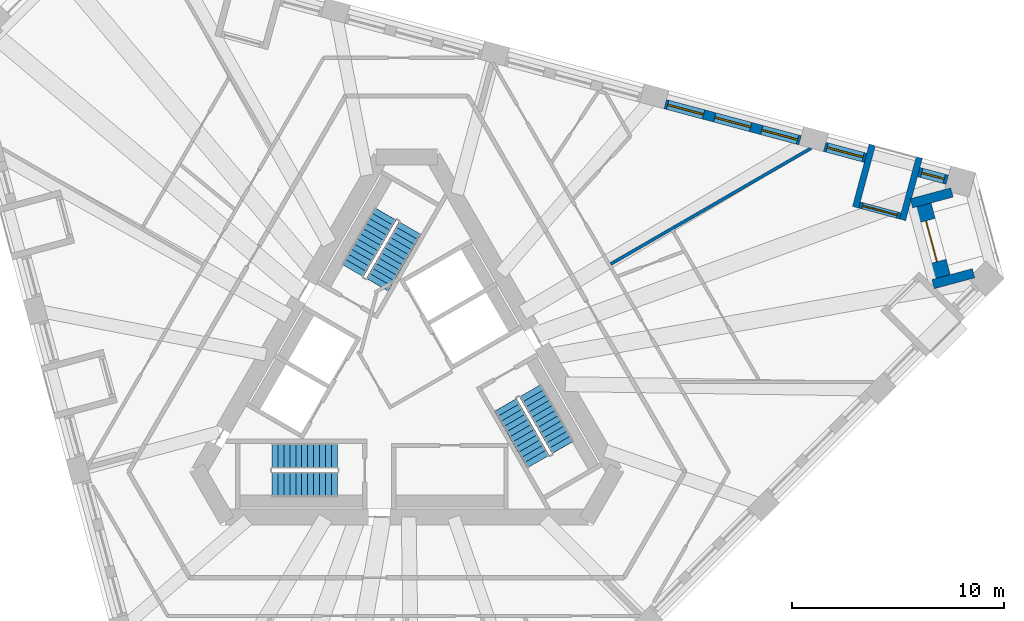
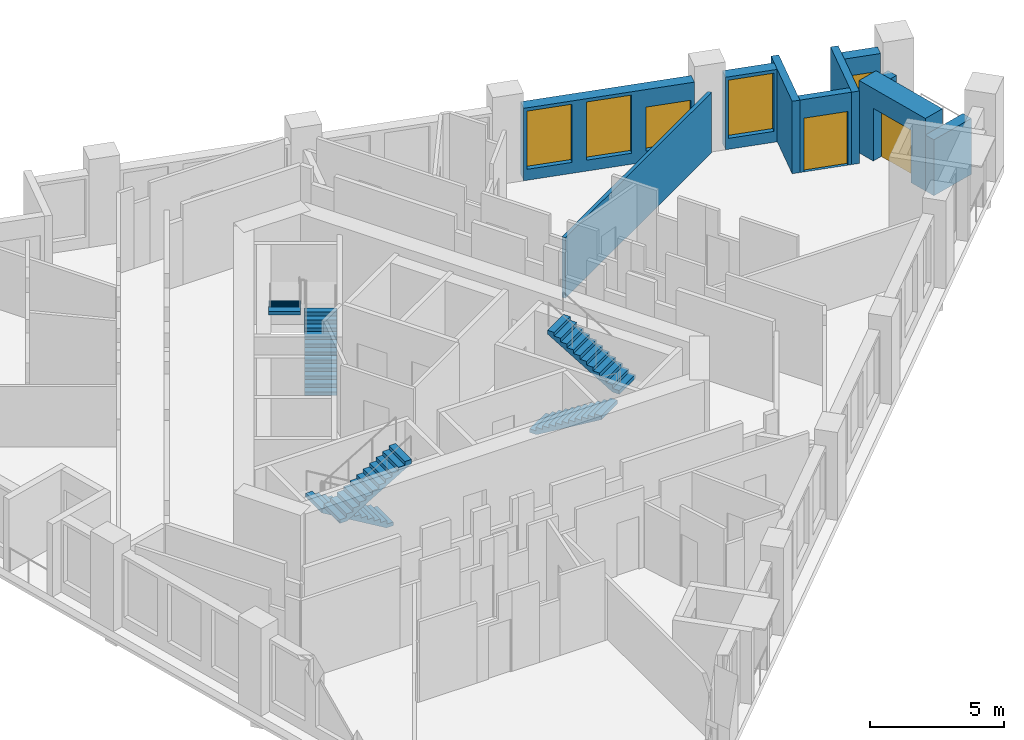
# One storey, part 9 of 13: 10 walls, 6 stair flights, 5 windows, 2 doors, 7 openings, 3 elements without a shape of their own.
"""IFC4 building model written with IfcOpenShell, lengths in metres."""

from ifc_helpers import new_model, si_unit, direction, frame, frame_2d, origin, place, context, subcontext, project, spatial, polyline, rectangle, outline, extrude, material, layer, layer_set, type_object, element, fill, aggregate, save


model = new_model("IFC4")

# Units and contexts
model_context = context("Model", 3, precision=1e-05, world=origin(), true_north=direction((0.0, 1.0)))
body_context = subcontext(model_context, "Body", "Model", "MODEL_VIEW")
ifc_project = project(units=[si_unit("LENGTHUNIT", "METRE"), si_unit("AREAUNIT", "SQUARE_METRE"), si_unit("VOLUMEUNIT", "CUBIC_METRE"), si_unit("PLANEANGLEUNIT", "RADIAN"), si_unit("MASSUNIT", "GRAM", prefix="KILO")], contexts=[model_context])

# Site, building, storey
site_placement = place(None, origin())
site = spatial("IfcSite", under=ifc_project, at=site_placement, CompositionType="ELEMENT")
building_placement = place(site_placement, origin())
building = spatial("IfcBuilding", under=site, at=building_placement, Name="Tramontana Tower", CompositionType="ELEMENT")
storey_placement = place(building_placement, frame((0.0, 0.0, 204.0)))
storey = spatial("IfcBuildingStorey", under=building, at=storey_placement, Name="L47", CompositionType="ELEMENT", Elevation=204.0)

# Wall, opening, window
ifc_material_1 = material(Name="Precast concrete 60 MPa", Category="concrete")
ifc_layer_1 = layer(ifc_material_1, 0.449951171875)
ifc_layer_set_1 = layer_set([ifc_layer_1], Name="Precast concrete 60 MPa, 450 mm")
wall_type_1 = type_object("IfcWallType", Name="EW1 Stone-faced precast wall 450", PredefinedType="SOLIDWALL", material=ifc_layer_set_1)
wall_1_placement = place(storey_placement, frame((25.522705078125, 9.54443359375, 0.0), z_axis=(0.0, 0.0, 1.0), x_axis=(-0.965938699585, 0.258770996527, 0.0)))
wall_1 = element("IfcWall", 1, at=wall_1_placement, inside=storey, type_object=wall_type_1, Name="External wall L47 face 2 bay 1", PredefinedType="SOLIDWALL", context=body_context, shape_type="SweptSolid", body=[
    extrude(rectangle(XDim=1.398193359375, YDim=0.449951171875, at=frame_2d((0.69921875, 0.0))), origin(), (0.0, 0.0, 1.0), 3.300048828125),
])
opening_1_placement = place(wall_1_placement, frame((0.14892578125, 0.0, 0.5)))
opening_1 = element("IfcOpeningElement", 2, at=opening_1_placement, cuts=wall_1, Name="Opening N2L", PredefinedType="OPENING", context=body_context, shape_type="SweptSolid", body=[
    extrude(rectangle(XDim=1.10009765625, YDim=2.0, at=frame_2d((0.550048828125, 1.0))), frame((0.0, 0.23486328125, 0.0), z_axis=(0.0, -1.0, 0.0), x_axis=(1.0, 0.0, 0.0)), (0.0, 0.0, 1.0), 0.469970703125),
])
ifc_material_2 = material(Name="Aluminum frame, double glazing unit", Category="aluminium")
window_type_1 = type_object("IfcWindowType", Name="N2L Window 1.1 x 2", PartitioningType="SINGLE_PANEL", PredefinedType="WINDOW", material=ifc_material_2)
window_1_placement = place(opening_1_placement, origin())
window_1 = element("IfcWindow", 3, at=window_1_placement, inside=storey, type_object=window_type_1, Name="Window N2L L47 face 2 module 1", OverallHeight=2.0, OverallWidth=1.10009765625, PartitioningType="SINGLE_PANEL", PredefinedType="WINDOW", context=body_context, shape_type="SweptSolid", body=[
    extrude(rectangle(XDim=1.10009765625, YDim=2.0, at=frame_2d((0.550048828125, 1.0))), frame((0.0, 0.030029296875, 0.0), z_axis=(0.0, -1.0, 0.0), x_axis=(1.0, 0.0, 0.0)), (0.0, 0.0, 1.0), 0.06005859375),
])
fill(opening_1, window_1)

wall_2_placement = place(storey_placement, frame((21.66259765625, 10.578857421875, 0.0), z_axis=(0.0, 0.0, 1.0), x_axis=(-0.96593005298, 0.258803270362, 0.0)))
wall_2 = element("IfcWall", 4, at=wall_2_placement, inside=storey, type_object=wall_type_1, Name="External wall L47 face 2 bay 1", PredefinedType="SOLIDWALL", context=body_context, shape_type="SweptSolid", body=[
    extrude(rectangle(XDim=1.998046875, YDim=0.449951171875, at=frame_2d((0.9990234375, 0.0))), origin(), (0.0, 0.0, 1.0), 3.300048828125),
])
opening_2_placement = place(wall_2_placement, frame((0.1240234375, 0.0, 0.5)))
opening_2 = element("IfcOpeningElement", 5, at=opening_2_placement, cuts=wall_2, Name="Opening M2", PredefinedType="OPENING", context=body_context, shape_type="SweptSolid", body=[
    extrude(rectangle(XDim=1.75, YDim=2.64990234375, at=frame_2d((0.875, 1.324951171875))), frame((0.0, 0.23486328125, 0.0), z_axis=(0.0, -1.0, 0.0), x_axis=(1.0, 0.0, 0.0)), (0.0, 0.0, 1.0), 0.469970703125),
])
ifc_material_3 = material(Name="Aluminum frame, double glazing unit", Category="aluminium")
window_type_2 = type_object("IfcWindowType", Name="M2 Window 1.75 x 2.65", PartitioningType="SINGLE_PANEL", PredefinedType="WINDOW", material=ifc_material_3)
window_2_placement = place(opening_2_placement, origin())
window_2 = element("IfcWindow", 6, at=window_2_placement, inside=storey, type_object=window_type_2, Name="Window M2 L47 face 2 module 3", OverallHeight=2.64990234375, OverallWidth=1.75, PartitioningType="SINGLE_PANEL", PredefinedType="WINDOW", context=body_context, shape_type="SweptSolid", body=[
    extrude(rectangle(XDim=1.75, YDim=2.64990234375, at=frame_2d((0.875, 1.324951171875))), frame((0.0, 0.030029296875, 0.0), z_axis=(0.0, -1.0, 0.0), x_axis=(1.0, 0.0, 0.0)), (0.0, 0.0, 1.0), 0.06005859375),
])
fill(opening_2, window_2)

# Wall, openings, windows
wall_3_placement = place(storey_placement, frame((18.573486328125, 11.406494140625, 0.0), z_axis=(0.0, 0.0, 1.0), x_axis=(-0.965921443251, 0.258835402268, 0.0)))
wall_3 = element("IfcWall", 7, at=wall_3_placement, inside=storey, type_object=wall_type_1, Name="External wall L47 face 2 bay 2", PredefinedType="SOLIDWALL", context=body_context, shape_type="SweptSolid", body=[
    extrude(rectangle(XDim=6.593994140625, YDim=0.449951171875, at=frame_2d((3.296875, 0.0))), origin(), (0.0, 0.0, 1.0), 3.300048828125),
])
opening_3_placement = place(wall_3_placement, frame((0.1240234375, 0.0, 0.5)))
opening_3 = element("IfcOpeningElement", 8, at=opening_3_placement, cuts=wall_3, Name="Opening M2L", PredefinedType="OPENING", context=body_context, shape_type="SweptSolid", body=[
    extrude(rectangle(XDim=1.75, YDim=2.0, at=frame_2d((0.875, 1.0))), frame((0.0, 0.23486328125, 0.0), z_axis=(0.0, -1.0, 0.0), x_axis=(1.0, 0.0, 0.0)), (0.0, 0.0, 1.0), 0.469970703125),
])
opening_4_placement = place(wall_3_placement, frame((2.422119140625, 0.0, 0.5)))
opening_4 = element("IfcOpeningElement", 9, at=opening_4_placement, cuts=wall_3, Name="Opening M2", PredefinedType="OPENING", context=body_context, shape_type="SweptSolid", body=[
    extrude(rectangle(XDim=1.75, YDim=2.64990234375, at=frame_2d((0.875, 1.324951171875))), frame((0.0, 0.23486328125, 0.0), z_axis=(0.0, -1.0, 0.0), x_axis=(1.0, 0.0, 0.0)), (0.0, 0.0, 1.0), 0.469970703125),
])
opening_5_placement = place(wall_3_placement, frame((4.72021484375, 0.0, 0.5)))
opening_5 = element("IfcOpeningElement", 10, at=opening_5_placement, cuts=wall_3, Name="Opening M2", PredefinedType="OPENING", context=body_context, shape_type="SweptSolid", body=[
    extrude(rectangle(XDim=1.75, YDim=2.64990234375, at=frame_2d((0.875, 1.324951171875))), frame((0.0, 0.23486328125, 0.0), z_axis=(0.0, -1.0, 0.0), x_axis=(1.0, 0.0, 0.0)), (0.0, 0.0, 1.0), 0.469970703125),
])
window_3_placement = place(opening_4_placement, origin())
window_3 = element("IfcWindow", 11, at=window_3_placement, inside=storey, type_object=window_type_2, Name="Window M2 L47 face 2 module 5", OverallHeight=2.64990234375, OverallWidth=1.75, PartitioningType="SINGLE_PANEL", PredefinedType="WINDOW", context=body_context, shape_type="SweptSolid", body=[
    extrude(rectangle(XDim=1.75, YDim=2.64990234375, at=frame_2d((0.875, 1.324951171875))), frame((0.0, 0.030029296875, 0.0), z_axis=(0.0, -1.0, 0.0), x_axis=(1.0, 0.0, 0.0)), (0.0, 0.0, 1.0), 0.06005859375),
])
fill(opening_4, window_3)
window_4_placement = place(opening_5_placement, origin())
window_4 = element("IfcWindow", 12, at=window_4_placement, inside=storey, type_object=window_type_2, Name="Window M2 L47 face 2 module 6", OverallHeight=2.64990234375, OverallWidth=1.75, PartitioningType="SINGLE_PANEL", PredefinedType="WINDOW", context=body_context, shape_type="SweptSolid", body=[
    extrude(rectangle(XDim=1.75, YDim=2.64990234375, at=frame_2d((0.875, 1.324951171875))), frame((0.0, 0.030029296875, 0.0), z_axis=(0.0, -1.0, 0.0), x_axis=(1.0, 0.0, 0.0)), (0.0, 0.0, 1.0), 0.06005859375),
])
fill(opening_5, window_4)
ifc_material_4 = material(Name="Aluminum frame, double glazing unit", Category="aluminium")
window_type_3 = type_object("IfcWindowType", Name="M2L Window 1.75 x 2", PartitioningType="SINGLE_PANEL", PredefinedType="WINDOW", material=ifc_material_4)
window_5_placement = place(opening_3_placement, origin())
window_5 = element("IfcWindow", 13, at=window_5_placement, inside=storey, type_object=window_type_3, Name="Window M2L L47 face 2 module 4", OverallHeight=2.0, OverallWidth=1.75, PartitioningType="SINGLE_PANEL", PredefinedType="WINDOW", context=body_context, shape_type="SweptSolid", body=[
    extrude(rectangle(XDim=1.75, YDim=2.0, at=frame_2d((0.875, 1.0))), frame((0.0, 0.030029296875, 0.0), z_axis=(0.0, -1.0, 0.0), x_axis=(1.0, 0.0, 0.0)), (0.0, 0.0, 1.0), 0.06005859375),
])
fill(opening_3, window_5)

# Walls
wall_4_placement = place(storey_placement, frame((25.741943359375, 8.942138671875, 0.0), z_axis=(0.0, 0.0, 1.0), x_axis=(-0.965935388955, -0.258783354109, 0.0)))
element("IfcWall", 14, at=wall_4_placement, inside=storey, type_object=wall_type_1, Name="Corner loggia side wall L47 K52l", PredefinedType="SOLIDWALL", context=body_context, shape_type="SweptSolid", body=[
    extrude(rectangle(XDim=1.979248046875, YDim=0.449951171875, at=frame_2d((0.98974609375, 0.0))), origin(), (0.0, 0.0, 1.0), 2.550048828125),
])
wall_5_placement = place(storey_placement, frame((26.76416015625, 5.126708984375, 0.0), z_axis=(0.0, 0.0, 1.0), x_axis=(-0.965927127032, -0.258814190615, 0.0)))
element("IfcWall", 15, at=wall_5_placement, inside=storey, type_object=wall_type_1, Name="Corner loggia side wall L47 K52r", PredefinedType="SOLIDWALL", context=body_context, shape_type="SweptSolid", body=[
    extrude(rectangle(XDim=1.97900390625, YDim=0.449951171875, at=frame_2d((0.989501953125, 0.0))), origin(), (0.0, 0.0, 1.0), 2.550048828125),
])

# Wall, opening, door
ifc_material_5 = material(Name="Precast concrete 60 MPa", Category="concrete")
ifc_layer_2 = layer(ifc_material_5, 0.89990234375)
ifc_layer_set_2 = layer_set([ifc_layer_2], Name="EW2 Stone-faced corner loggia wall 900")
wall_type_2 = type_object("IfcWallType", Name="EW2 Stone-faced corner loggia wall 900", PredefinedType="SOLIDWALL", material=ifc_layer_set_2)
wall_6_placement = place(storey_placement, frame((24.322998046875, 8.3291015625, 0.0), z_axis=(0.0, 0.0, 1.0), x_axis=(0.258847652622, -0.965918160473, 0.0)))
wall_6 = element("IfcWall", 16, at=wall_6_placement, inside=storey, type_object=wall_type_2, Name="Corner loggia wall L47 K52", PredefinedType="SOLIDWALL", context=body_context, shape_type="SweptSolid", body=[
    extrude(rectangle(XDim=3.500244140625, YDim=0.89990234375, at=frame_2d((1.75, 0.0))), origin(), (0.0, 0.0, 1.0), 3.300048828125),
])
opening_6_placement = place(wall_6_placement, frame((0.75, 0.0, 0.0)))
opening_6 = element("IfcOpeningElement", 17, at=opening_6_placement, cuts=wall_6, Name="Opening BD-52C", PredefinedType="OPENING", context=body_context, shape_type="SweptSolid", body=[
    extrude(rectangle(XDim=2.0, YDim=2.39990234375, at=frame_2d((1.0, 1.199951171875))), frame((0.0, 0.4599609375, 0.0), z_axis=(0.0, -1.0, 0.0), x_axis=(1.0, 0.0, 0.0)), (0.0, 0.0, 1.0), 0.919921875),
])
ifc_material_6 = material(Name="Aluminum frame, double glazing unit", Category="aluminium")
door_type_1 = type_object("IfcDoorType", Name="BC1 Sliding door 2 x 2.4", OperationType="SLIDING_TO_LEFT", PredefinedType="DOOR", material=ifc_material_6)
door_1_placement = place(opening_6_placement, origin())
door_1 = element("IfcDoor", 18, at=door_1_placement, inside=storey, type_object=door_type_1, Name="Corner loggia door L47 K52", OperationType="SLIDING_TO_LEFT", OverallHeight=2.39990234375, OverallWidth=2.0, PredefinedType="DOOR", context=body_context, shape_type="SweptSolid", body=[
    extrude(rectangle(XDim=2.0, YDim=2.39990234375, at=frame_2d((1.0, 1.199951171875))), frame((0.0, 0.02490234375, 0.0), z_axis=(0.0, -1.0, 0.0), x_axis=(1.0, 0.0, 0.0)), (0.0, 0.0, 1.0), 0.050048828125),
])
fill(opening_6, door_1)

ifc_material_7 = material(Name="Precast concrete 60 MPa", Category="concrete")
ifc_layer_3 = layer(ifc_material_7, 0.300048828125)
ifc_layer_set_3 = layer_set([ifc_layer_3], Name="LW1 Stone-faced loggia wall 300")
wall_type_3 = type_object("IfcWallType", Name="LW1 Stone-faced loggia wall 300", PredefinedType="SOLIDWALL", material=ifc_layer_set_3)
wall_7_placement = place(storey_placement, frame((23.306640625, 7.834716796875, 0.0), z_axis=(0.0, 0.0, 1.0), x_axis=(-0.965938235865, 0.258772727493, 0.0)))
wall_7 = element("IfcWall", 19, at=wall_7_placement, inside=storey, type_object=wall_type_3, Name="Loggia wall L47 G5S2.1", PredefinedType="SOLIDWALL", context=body_context, shape_type="SweptSolid", body=[
    extrude(rectangle(XDim=1.998291015625, YDim=0.300048828125, at=frame_2d((0.9990234375, 0.0))), origin(), (0.0, 0.0, 1.0), 3.300048828125),
])
opening_7_placement = place(wall_7_placement, frame((0.14892578125, 0.0, 0.0)))
opening_7 = element("IfcOpeningElement", 20, at=opening_7_placement, cuts=wall_7, Name="Opening BD-5S2-01", PredefinedType="OPENING", context=body_context, shape_type="SweptSolid", body=[
    extrude(rectangle(XDim=1.699951171875, YDim=2.449951171875, at=frame_2d((0.85009765625, 1.22509765625))), frame((0.0, 0.159912109375, 0.0), z_axis=(0.0, -1.0, 0.0), x_axis=(1.0, 0.0, 0.0)), (0.0, 0.0, 1.0), 0.320068359375),
])
ifc_material_8 = material(Name="Aluminum frame, double glazing unit", Category="aluminium")
door_type_2 = type_object("IfcDoorType", Name="BD2 Sliding door 1.7 x 2.45", OperationType="SLIDING_TO_LEFT", PredefinedType="DOOR", material=ifc_material_8)
door_2_placement = place(opening_7_placement, origin())
door_2 = element("IfcDoor", 21, at=door_2_placement, inside=storey, type_object=door_type_2, Name="Loggia door L47 G5S2.1", OperationType="SLIDING_TO_LEFT", OverallHeight=2.449951171875, OverallWidth=1.699951171875, PredefinedType="DOOR", context=body_context, shape_type="SweptSolid", body=[
    extrude(rectangle(XDim=1.699951171875, YDim=2.449951171875, at=frame_2d((0.85009765625, 1.22509765625))), frame((0.0, 0.02490234375, 0.0), z_axis=(0.0, -1.0, 0.0), x_axis=(1.0, 0.0, 0.0)), (0.0, 0.0, 1.0), 0.050048828125),
])
fill(opening_7, door_2)

# Walls
for number, where, z_axis, x_axis, name in (
    (22, (24.201904296875, 10.59716796875, 0.0), (0.0, 0.0, 1.0), (-0.258793435045, -0.965932688119, 0.0), "Loggia return L47 G5S2.1a"),
    (23, (21.982177734375, 11.19189453125, 0.0), (0.0, 0.0, 1.0), (-0.258793435045, -0.965932688119, 0.0), "Loggia return L47 G5S2.1b"),
):
    element("IfcWall", number, at=place(storey_placement, frame(where, z_axis=z_axis, x_axis=x_axis)), inside=storey, type_object=wall_type_3, Name=name, PredefinedType="SOLIDWALL", context=body_context, shape_type="SweptSolid", body=[
        extrude(rectangle(XDim=3.050048828125, YDim=0.300048828125, at=frame_2d((1.52490234375, 0.0))), origin(), (0.0, 0.0, 1.0), 3.300048828125),
    ])
ifc_material_9 = material(Name="Gypsum board partition")
ifc_layer_4 = layer(ifc_material_9, 0.14990234375)
ifc_layer_set_4 = layer_set([ifc_layer_4], Name="PARTITION 150")
wall_type_4 = type_object("IfcWallType", Name="PARTITION 150", PredefinedType="PARTITIONING", material=ifc_layer_set_4)
wall_8_placement = place(storey_placement, frame((9.632568359375, 5.566162109375, 0.0), z_axis=(0.0, 0.0, 1.0), x_axis=(0.865840987412, 0.500319282576, 0.0)))
element("IfcWall", 24, at=wall_8_placement, inside=storey, type_object=wall_type_4, Name="Wall v50-pw21-0", PredefinedType="PARTITIONING", context=body_context, shape_type="SweptSolid", body=[
    extrude(rectangle(XDim=10.928466796875, YDim=0.14990234375, at=frame_2d((5.46435546875, 0.0))), origin(), (0.0, 0.0, 1.0), 2.75),
])

# Stair, stair flights
ifc_material_10 = material(Name="Concrete 40 MPa", Category="concrete")
stair_type = type_object("IfcStairType", Name="EXIT STAIR 24 RISERS", PredefinedType="HALF_TURN_STAIR", material=ifc_material_10)
stair_1_placement = place(storey_placement, origin())
stair_1 = element("IfcStair", 25, at=stair_1_placement, inside=storey, type_object=stair_type, Name="L47 Exit stair ST1", PredefinedType="HALF_TURN_STAIR")
ifc_material_11 = material(Name="Concrete 40 MPa", Category="concrete")
ifc_layer_5 = layer(ifc_material_11, 0.14990234375)
ifc_layer_set_5 = layer_set([ifc_layer_5], Name="EXIT STAIR FLIGHT")
stair_flight_type = type_object("IfcStairFlightType", Name="EXIT STAIR FLIGHT", PredefinedType="STRAIGHT", material=ifc_layer_set_5)
stair_flight_1_placement = place(storey_placement, frame((-1.39111328125, 4.590576171875, 0.0), z_axis=(0.0, 0.0, 1.0), x_axis=(0.5, 0.866025403784, 0.0)))
stair_flight_1 = element("IfcStairFlight", 26, at=stair_flight_1_placement, type_object=stair_flight_type, Name="ST1 flight 1", NumberOfRisers=12, NumberOfTreads=11, PredefinedType="STRAIGHT", RiserHeight=0.166666667, TreadLength=0.28, context=body_context, shape_type="SweptSolid", body=[
    extrude(outline(polyline([(-0.006103515625, 0.0), (-0.006103515625, 0.0400390625), (0.0, 0.0400390625), (0.0, 0.166748046875), (0.280029296875, 0.166748046875), (0.280029296875, 0.333251953125), (0.56005859375, 0.333251953125), (0.56005859375, 0.5), (0.840087890625, 0.5), (0.840087890625, 0.666748046875), (1.1201171875, 0.666748046875), (1.1201171875, 0.833251953125), (1.39990234375, 0.833251953125), (1.39990234375, 1.0), (1.679931640625, 1.0), (1.679931640625, 1.166748046875), (1.9599609375, 1.166748046875), (1.9599609375, 1.333251953125), (2.239990234375, 1.333251953125), (2.239990234375, 1.5), (2.52001953125, 1.5), (2.52001953125, 1.666748046875), (2.800048828125, 1.666748046875), (2.800048828125, 1.833251953125), (3.080078125, 1.833251953125), (3.0859375, 1.833251953125), (3.0859375, 1.658935546875), (0.299072265625, 0.0), (-0.006103515625, 0.0)])), frame((0.0, 0.60009765625, 0.0), z_axis=(0.0, -1.0, 0.0), x_axis=(1.0, 0.0, 0.0)), (0.0, 0.0, 1.0), 1.199951171875),
])
stair_flight_2_placement = place(storey_placement, frame((-1.020263671875, 7.932861328125, 2.0), z_axis=(0.0, 0.0, 1.0), x_axis=(-0.5, -0.866025403784, 0.0)))
stair_flight_2 = element("IfcStairFlight", 27, at=stair_flight_2_placement, type_object=stair_flight_type, Name="ST1 flight 2", NumberOfRisers=12, NumberOfTreads=11, PredefinedType="STRAIGHT", RiserHeight=0.166666667, TreadLength=0.28, context=body_context, shape_type="SweptSolid", body=[
    extrude(outline(polyline([(-0.006103515625, 0.0), (-0.006103515625, 0.0400390625), (0.0, 0.0400390625), (0.0, 0.166748046875), (0.280029296875, 0.166748046875), (0.280029296875, 0.333251953125), (0.56005859375, 0.333251953125), (0.56005859375, 0.5), (0.840087890625, 0.5), (0.840087890625, 0.666748046875), (1.1201171875, 0.666748046875), (1.1201171875, 0.833251953125), (1.39990234375, 0.833251953125), (1.39990234375, 1.0), (1.679931640625, 1.0), (1.679931640625, 1.166748046875), (1.9599609375, 1.166748046875), (1.9599609375, 1.333251953125), (2.239990234375, 1.333251953125), (2.239990234375, 1.5), (2.52001953125, 1.5), (2.52001953125, 1.666748046875), (2.800048828125, 1.666748046875), (2.800048828125, 1.833251953125), (3.080078125, 1.833251953125), (3.0859375, 1.833251953125), (3.0859375, 1.658935546875), (0.299072265625, 0.0), (-0.006103515625, 0.0)])), frame((0.0, 0.60009765625, 0.0), z_axis=(0.0, -1.0, 0.0), x_axis=(1.0, 0.0, 0.0)), (0.0, 0.0, 1.0), 1.199951171875),
])
aggregate(stair_1, [stair_flight_1, stair_flight_2])

stair_2_placement = place(storey_placement, origin())
stair_2 = element("IfcStair", 28, at=stair_2_placement, inside=storey, type_object=stair_type, Name="L47 Exit stair ST2", PredefinedType="HALF_TURN_STAIR")
stair_flight_3_placement = place(storey_placement, frame((-3.280029296875, -3.5, 0.0), z_axis=(0.0, 0.0, 1.0), x_axis=(-1.0, 0.0, 0.0)))
stair_flight_3 = element("IfcStairFlight", 29, at=stair_flight_3_placement, type_object=stair_flight_type, Name="ST2 flight 1", NumberOfRisers=12, NumberOfTreads=11, PredefinedType="STRAIGHT", RiserHeight=0.166666667, TreadLength=0.28, context=body_context, shape_type="SweptSolid", body=[
    extrude(outline(polyline([(-0.006103515625, 0.0), (-0.006103515625, 0.0400390625), (0.0, 0.0400390625), (0.0, 0.166748046875), (0.280029296875, 0.166748046875), (0.280029296875, 0.333251953125), (0.56005859375, 0.333251953125), (0.56005859375, 0.5), (0.840087890625, 0.5), (0.840087890625, 0.666748046875), (1.1201171875, 0.666748046875), (1.1201171875, 0.833251953125), (1.39990234375, 0.833251953125), (1.39990234375, 1.0), (1.679931640625, 1.0), (1.679931640625, 1.166748046875), (1.9599609375, 1.166748046875), (1.9599609375, 1.333251953125), (2.239990234375, 1.333251953125), (2.239990234375, 1.5), (2.52001953125, 1.5), (2.52001953125, 1.666748046875), (2.800048828125, 1.666748046875), (2.800048828125, 1.833251953125), (3.080078125, 1.833251953125), (3.0859375, 1.833251953125), (3.0859375, 1.658935546875), (0.299072265625, 0.0), (-0.006103515625, 0.0)])), frame((0.0, 0.60009765625, 0.0), z_axis=(0.0, -1.0, 0.0), x_axis=(1.0, 0.0, 0.0)), (0.0, 0.0, 1.0), 1.199951171875),
])
stair_flight_4_placement = place(storey_placement, frame((-6.360107421875, -4.85009765625, 2.0), z_axis=(0.0, 0.0, 1.0), x_axis=(1.0, 0.0, 0.0)))
stair_flight_4 = element("IfcStairFlight", 30, at=stair_flight_4_placement, type_object=stair_flight_type, Name="ST2 flight 2", NumberOfRisers=12, NumberOfTreads=11, PredefinedType="STRAIGHT", RiserHeight=0.166666667, TreadLength=0.28, context=body_context, shape_type="SweptSolid", body=[
    extrude(outline(polyline([(-0.006103515625, 0.0), (-0.006103515625, 0.0400390625), (0.0, 0.0400390625), (0.0, 0.166748046875), (0.280029296875, 0.166748046875), (0.280029296875, 0.333251953125), (0.56005859375, 0.333251953125), (0.56005859375, 0.5), (0.840087890625, 0.5), (0.840087890625, 0.666748046875), (1.1201171875, 0.666748046875), (1.1201171875, 0.833251953125), (1.39990234375, 0.833251953125), (1.39990234375, 1.0), (1.679931640625, 1.0), (1.679931640625, 1.166748046875), (1.9599609375, 1.166748046875), (1.9599609375, 1.333251953125), (2.239990234375, 1.333251953125), (2.239990234375, 1.5), (2.52001953125, 1.5), (2.52001953125, 1.666748046875), (2.800048828125, 1.666748046875), (2.800048828125, 1.833251953125), (3.080078125, 1.833251953125), (3.0859375, 1.833251953125), (3.0859375, 1.658935546875), (0.299072265625, 0.0), (-0.006103515625, 0.0)])), frame((0.0, 0.60009765625, 0.0), z_axis=(0.0, -1.0, 0.0), x_axis=(1.0, 0.0, 0.0)), (0.0, 0.0, 1.0), 1.199951171875),
])
aggregate(stair_2, [stair_flight_3, stair_flight_4])

stair_3_placement = place(storey_placement, origin())
stair_3 = element("IfcStair", 31, at=stair_3_placement, inside=storey, type_object=stair_type, Name="L47 Exit stair ST3", PredefinedType="HALF_TURN_STAIR")
stair_flight_5_placement = place(storey_placement, frame((4.671142578125, -1.090576171875, 0.0), z_axis=(0.0, 0.0, 1.0), x_axis=(0.5, -0.866025403784, 0.0)))
stair_flight_5 = element("IfcStairFlight", 32, at=stair_flight_5_placement, type_object=stair_flight_type, Name="ST3 flight 1", NumberOfRisers=12, NumberOfTreads=11, PredefinedType="STRAIGHT", RiserHeight=0.166666667, TreadLength=0.28, context=body_context, shape_type="SweptSolid", body=[
    extrude(outline(polyline([(-0.006103515625, 0.0), (-0.006103515625, 0.0400390625), (0.0, 0.0400390625), (0.0, 0.166748046875), (0.280029296875, 0.166748046875), (0.280029296875, 0.333251953125), (0.56005859375, 0.333251953125), (0.56005859375, 0.5), (0.840087890625, 0.5), (0.840087890625, 0.666748046875), (1.1201171875, 0.666748046875), (1.1201171875, 0.833251953125), (1.39990234375, 0.833251953125), (1.39990234375, 1.0), (1.679931640625, 1.0), (1.679931640625, 1.166748046875), (1.9599609375, 1.166748046875), (1.9599609375, 1.333251953125), (2.239990234375, 1.333251953125), (2.239990234375, 1.5), (2.52001953125, 1.5), (2.52001953125, 1.666748046875), (2.800048828125, 1.666748046875), (2.800048828125, 1.833251953125), (3.080078125, 1.833251953125), (3.0859375, 1.833251953125), (3.0859375, 1.658935546875), (0.299072265625, 0.0), (-0.006103515625, 0.0)])), frame((0.0, 0.60009765625, 0.0), z_axis=(0.0, -1.0, 0.0), x_axis=(1.0, 0.0, 0.0)), (0.0, 0.0, 1.0), 1.199951171875),
])
stair_flight_6_placement = place(storey_placement, frame((7.380126953125, -3.0830078125, 2.0), z_axis=(0.0, 0.0, 1.0), x_axis=(-0.5, 0.866025403784, 0.0)))
stair_flight_6 = element("IfcStairFlight", 33, at=stair_flight_6_placement, type_object=stair_flight_type, Name="ST3 flight 2", NumberOfRisers=12, NumberOfTreads=11, PredefinedType="STRAIGHT", RiserHeight=0.166666667, TreadLength=0.28, context=body_context, shape_type="SweptSolid", body=[
    extrude(outline(polyline([(-0.006103515625, 0.0), (-0.006103515625, 0.0400390625), (0.0, 0.0400390625), (0.0, 0.166748046875), (0.280029296875, 0.166748046875), (0.280029296875, 0.333251953125), (0.56005859375, 0.333251953125), (0.56005859375, 0.5), (0.840087890625, 0.5), (0.840087890625, 0.666748046875), (1.1201171875, 0.666748046875), (1.1201171875, 0.833251953125), (1.39990234375, 0.833251953125), (1.39990234375, 1.0), (1.679931640625, 1.0), (1.679931640625, 1.166748046875), (1.9599609375, 1.166748046875), (1.9599609375, 1.333251953125), (2.239990234375, 1.333251953125), (2.239990234375, 1.5), (2.52001953125, 1.5), (2.52001953125, 1.666748046875), (2.800048828125, 1.666748046875), (2.800048828125, 1.833251953125), (3.080078125, 1.833251953125), (3.0859375, 1.833251953125), (3.0859375, 1.658935546875), (0.299072265625, 0.0), (-0.006103515625, 0.0)])), frame((0.0, 0.60009765625, 0.0), z_axis=(0.0, -1.0, 0.0), x_axis=(1.0, 0.0, 0.0)), (0.0, 0.0, 1.0), 1.199951171875),
])
aggregate(stair_3, [stair_flight_5, stair_flight_6])

save(model, "model.ifc")
